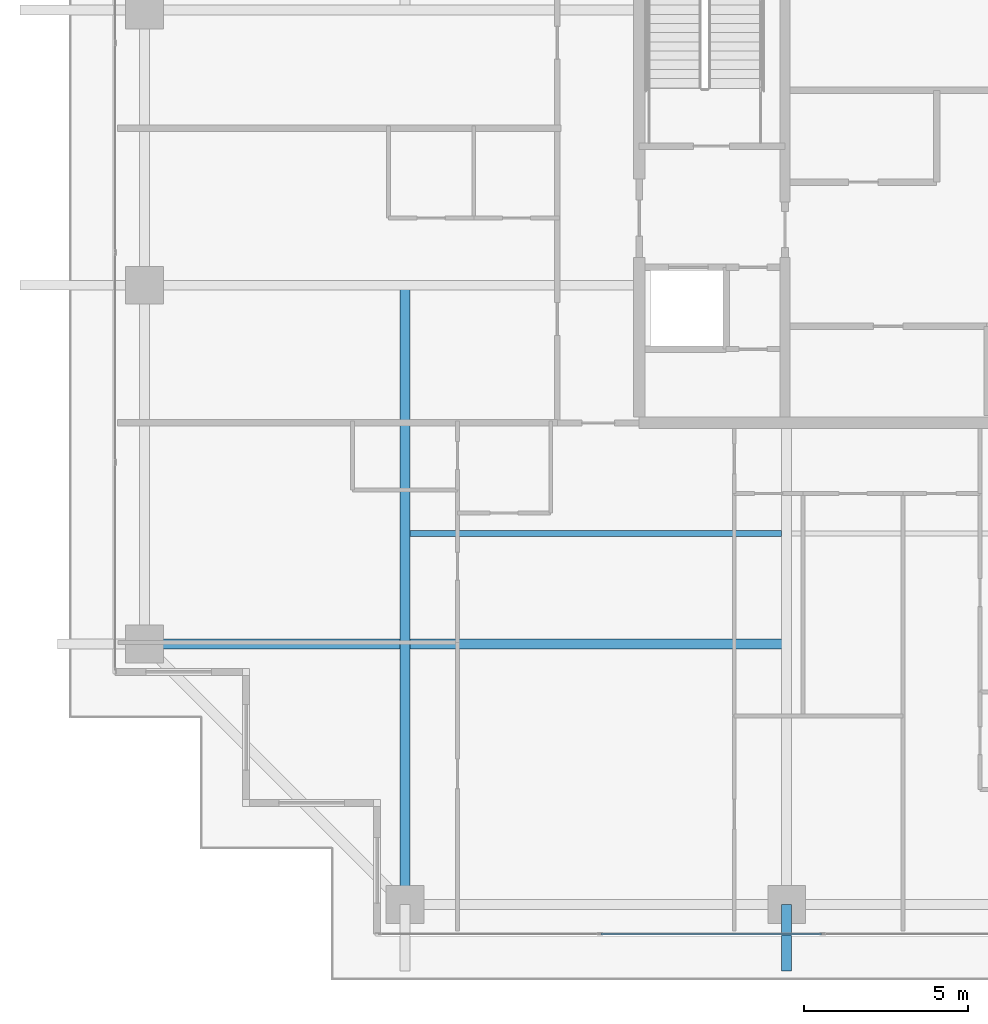
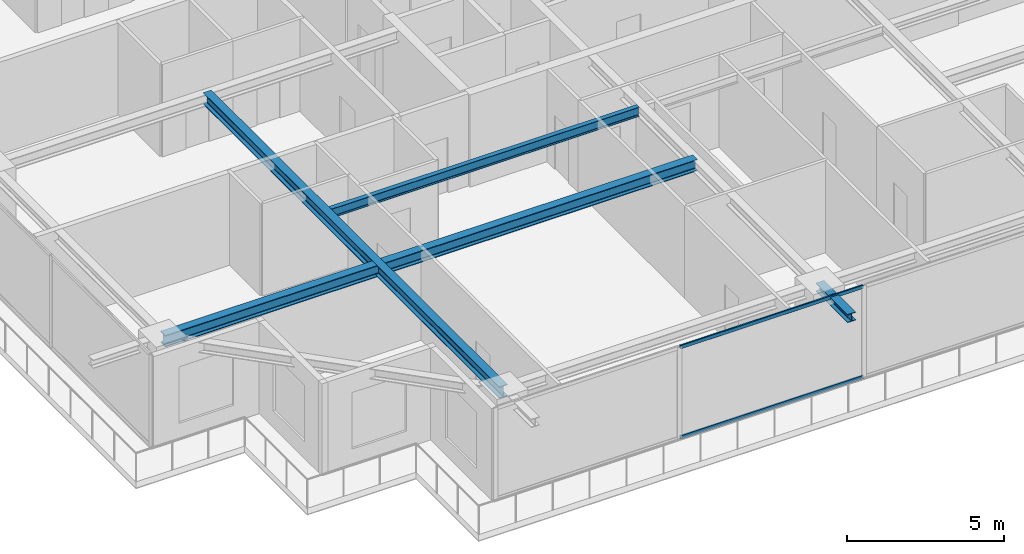
# One storey, part 4 of 37: 4 beams, 2 members, 1 element without a shape of its own.
"""IFC4 building model written with IfcOpenShell, lengths in metres."""

from ifc_helpers import new_model, si_unit, direction, frame, origin, origin_2d, place, context, subcontext, project, spatial, hollow_rectangle, i_section, extrude, source, transform, mapped, material, layer, layer_set, material_profile, profile_set, type_object, element, aggregate, save


model = new_model("IFC4")

# Units and contexts
model_context = context("Model", 3, precision=1e-05, world=origin(), true_north=direction((0.0, 1.0)))
body_context = subcontext(model_context, "Body", "Model", "MODEL_VIEW")
ifc_project = project(units=[si_unit("LENGTHUNIT", "METRE"), si_unit("AREAUNIT", "SQUARE_METRE"), si_unit("VOLUMEUNIT", "CUBIC_METRE"), si_unit("PLANEANGLEUNIT", "RADIAN"), si_unit("MASSUNIT", "GRAM", prefix="KILO")], contexts=[model_context])

# Site, building, storey
site_placement = place(None, origin())
site = spatial("IfcSite", under=ifc_project, at=site_placement, CompositionType="ELEMENT")
building_placement = place(site_placement, origin())
building = spatial("IfcBuilding", under=site, at=building_placement, Name="Serunith Strait Residences", CompositionType="ELEMENT")
storey_placement = place(building_placement, frame((0.0, 0.0, 233.550048828125)))
storey = spatial("IfcBuildingStorey", under=building, at=storey_placement, Name="L58", CompositionType="ELEMENT", Elevation=233.550048828125)

# Beams
ifc_material_1 = material(Name="Steel S355J2", Category="steel")
ifc_material_profile_1 = material_profile(ifc_material_1, i_section(OverallWidth=0.300048828125, OverallDepth=0.449951171875, WebThickness=0.013916015625, FlangeThickness=0.02587890625, FilletRadius=0.027099609375, at=origin_2d()), Name="HEB 450")
ifc_profile_set_1 = profile_set([ifc_material_profile_1], Name="Steel S355J2")
beam_type_1 = type_object("IfcBeamType", Name="BM-HEB450", PredefinedType="BEAM", material=ifc_profile_set_1)
shared_shape_1 = source(origin(), body_context, "Body", "SweptSolid", [
    extrude(i_section(OverallWidth=0.300048828125, OverallDepth=0.449951171875, WebThickness=0.013916015625, FlangeThickness=0.02587890625, FilletRadius=0.027099609375, at=origin_2d()), origin(), (0.0, 0.0, 1.0), 18.89990234375),
])
beam_1_placement = place(storey_placement, frame((16.25, 21.0, 3.362060546875), z_axis=(0.0, -1.0, 0.0), x_axis=(1.0, 0.0, 0.0)))
element("IfcBeam", 1, at=beam_1_placement, inside=storey, type_object=beam_type_1, Name="L58 Orthogonal Corner Girder TC-S1", PredefinedType="BEAM", context=body_context, shape_type="MappedRepresentation", body=[
    mapped(shared_shape_1, transform((0.0, 0.0, 0.0), scale=1.0)),
])
shared_shape_2 = source(origin(), body_context, "Body", "SweptSolid", [
    extrude(i_section(OverallWidth=0.300048828125, OverallDepth=0.449951171875, WebThickness=0.013916015625, FlangeThickness=0.02587890625, FilletRadius=0.027099609375, at=origin_2d()), origin(), (0.0, 0.0, 1.0), 19.599853515625),
])
beam_2_placement = place(storey_placement, frame((27.89990234375, 10.050048828125, 3.362060546875), z_axis=(-1.0, 0.0, 0.0), x_axis=(0.0, -1.0, 0.0)))
element("IfcBeam", 2, at=beam_2_placement, inside=storey, type_object=beam_type_1, Name="L58 Orthogonal Corner Girder TC-W1", PredefinedType="BEAM", context=body_context, shape_type="MappedRepresentation", body=[
    mapped(shared_shape_2, transform((0.0, 0.0, 0.0), scale=1.0)),
])
ifc_material_profile_2 = material_profile(ifc_material_1, i_section(OverallWidth=0.300048828125, OverallDepth=0.320068359375, WebThickness=0.011474609375, FlangeThickness=0.0205078125, FilletRadius=0.027099609375, at=origin_2d()), Name="HEB 320")
ifc_profile_set_2 = profile_set([ifc_material_profile_2], Name="Steel S355J2")
beam_type_2 = type_object("IfcBeamType", Name="BM-HEB320", PredefinedType="BEAM", material=ifc_profile_set_2)
shared_shape_3 = source(origin(), body_context, "Body", "SweptSolid", [
    extrude(i_section(OverallWidth=0.300048828125, OverallDepth=0.320068359375, WebThickness=0.011474609375, FlangeThickness=0.0205078125, FilletRadius=0.027099609375, at=origin_2d()), origin(), (0.0, 0.0, 1.0), 2.030029296875),
])
beam_3_placement = place(storey_placement, frame((27.89990234375, 2.10009765625, 3.39697265625), z_axis=(0.0, -1.0, 0.0), x_axis=(1.0, 0.0, 0.0)))
element("IfcBeam", 3, at=beam_3_placement, inside=storey, type_object=beam_type_2, Name="L59 Cantilevered Balcony Rib TC-S2", PredefinedType="BEAM", context=body_context, shape_type="MappedRepresentation", body=[
    mapped(shared_shape_3, transform((0.0, 0.0, 0.0), scale=1.0)),
])
ifc_material_profile_3 = material_profile(ifc_material_1, i_section(OverallWidth=0.169921875, OverallDepth=0.360107421875, WebThickness=0.008056640625, FlangeThickness=0.0126953125, FilletRadius=0.01806640625, at=origin_2d()), Name="IPE 360")
ifc_profile_set_3 = profile_set([ifc_material_profile_3], Name="Steel S355J2")
beam_type_3 = type_object("IfcBeamType", Name="BM-IPE360", PredefinedType="JOIST", material=ifc_profile_set_3)
shared_shape_4 = source(origin(), body_context, "Body", "SweptSolid", [
    extrude(i_section(OverallWidth=0.169921875, OverallDepth=0.360107421875, WebThickness=0.008056640625, FlangeThickness=0.0126953125, FilletRadius=0.01806640625, at=origin_2d()), origin(), (0.0, 0.0, 1.0), 11.35009765625),
])
beam_4_placement = place(storey_placement, frame((16.39990234375, 13.425048828125, 3.406982421875), z_axis=(1.0, 0.0, 0.0), x_axis=(0.0, 1.0, 0.0)))
element("IfcBeam", 4, at=beam_4_placement, inside=storey, type_object=beam_type_3, Name="L58 Composite Floor Joist 01", PredefinedType="JOIST", context=body_context, shape_type="MappedRepresentation", body=[
    mapped(shared_shape_4, transform((0.0, 0.0, 0.0), scale=1.0)),
])

# Curtain wall, members
ifc_material_2 = material(Name="Pale-Champagne Anodised Aluminium", Category="aluminium")
ifc_layer = layer(ifc_material_2, 0.199951171875, Name="Pale-Champagne Anodised Aluminium")
ifc_layer_set = layer_set([ifc_layer], Name="Pale-Champagne Anodised Aluminium")
curtain_wall_type = type_object("IfcCurtainWallType", Name="CW-SYS4", PredefinedType="NOTDEFINED", material=ifc_layer_set)
curtain_wall_placement = place(storey_placement, origin())
curtain_wall = element("IfcCurtainWall", 5, at=curtain_wall_placement, inside=storey, type_object=curtain_wall_type, Name="L58 S Unitised Fritted Curtain Wall", PredefinedType="NOTDEFINED")
ifc_material_profile_4 = material_profile(ifc_material_2, hollow_rectangle(XDim=0.06005859375, YDim=0.139892578125, WallThickness=0.00341796875, InnerFilletRadius=0.00537109375, OuterFilletRadius=0.0087890625, at=origin_2d()), Name="ALU 140x60x3.5")
ifc_profile_set_4 = profile_set([ifc_material_profile_4], Name="Pale-Champagne Anodised Aluminium")
member_type = type_object("IfcMemberType", Name="CW-SYS4-TRAN", PredefinedType="USERDEFINED", material=ifc_profile_set_4)
shared_shape_5 = source(origin(), body_context, "Body", "SweptSolid", [
    extrude(hollow_rectangle(XDim=0.06005859375, YDim=0.139892578125, WallThickness=0.00341796875, InnerFilletRadius=0.00537109375, OuterFilletRadius=0.0087890625, at=origin_2d()), origin(), (0.0, 0.0, 1.0), 6.735107421875),
])
member_1_placement = place(storey_placement, frame((22.232421875, 1.199951171875, 0.030029296875), z_axis=(1.0, 0.0, 0.0), x_axis=(0.0, 1.0, 0.0)))
member_1 = element("IfcMember", 6, at=member_1_placement, type_object=member_type, Name="CW-4 transom 2.1", ObjectType="TRANSOM", PredefinedType="USERDEFINED", context=body_context, shape_type="MappedRepresentation", body=[
    mapped(shared_shape_5, transform((0.0, 0.0, 0.0), scale=1.0)),
])
member_2_placement = place(storey_placement, frame((22.232421875, 1.199951171875, 3.544921875), z_axis=(1.0, 0.0, 0.0), x_axis=(0.0, 1.0, 0.0)))
member_2 = element("IfcMember", 7, at=member_2_placement, type_object=member_type, Name="CW-4 transom 2.2", ObjectType="TRANSOM", PredefinedType="USERDEFINED", context=body_context, shape_type="MappedRepresentation", body=[
    mapped(shared_shape_5, transform((0.0, 0.0, 0.0), scale=1.0)),
])
aggregate(curtain_wall, [member_1, member_2])

save(model, "model.ifc")
